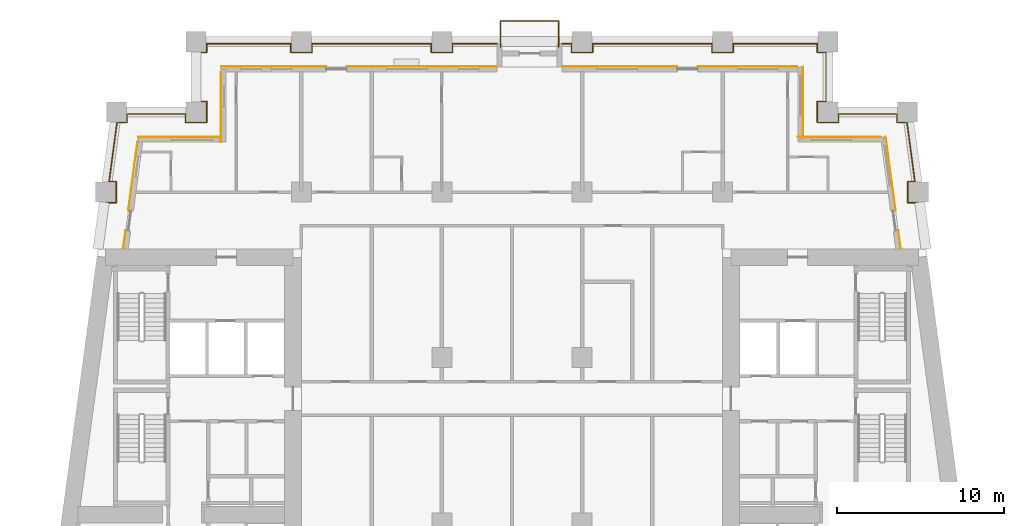
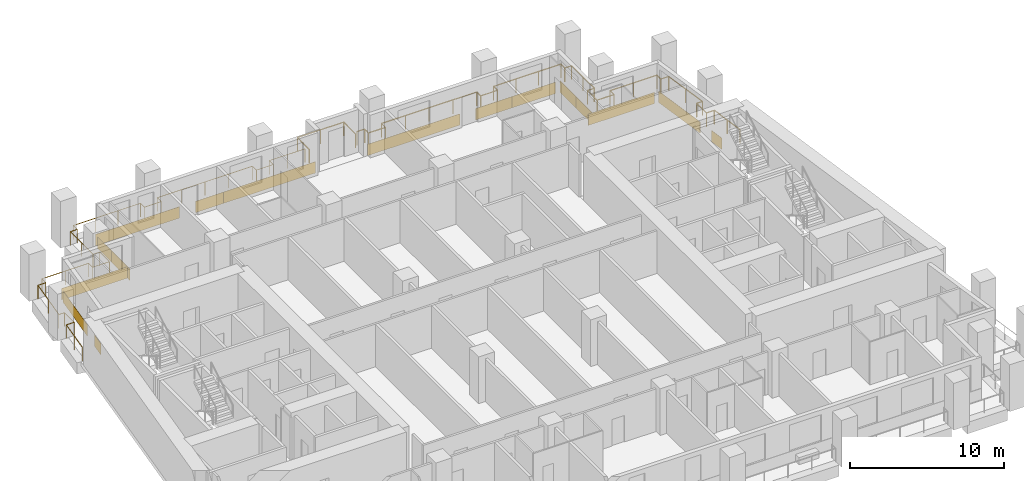
# One storey, part 12 of 13: 16 coverings, 3 railings.
"""IFC4 building model written with IfcOpenShell, lengths in metres."""

from ifc_helpers import new_model, si_unit, direction, frame, origin, origin_2d, place, context, subcontext, project, spatial, rectangle, circle, extrude, material, layer, layer_set, type_object, element, save


model = new_model("IFC4")

# Units and contexts
model_context = context("Model", 3, precision=1e-05, world=origin(), true_north=direction((0.0, 1.0)))
body_context = subcontext(model_context, "Body", "Model", "MODEL_VIEW")
ifc_project = project(units=[si_unit("LENGTHUNIT", "METRE"), si_unit("AREAUNIT", "SQUARE_METRE"), si_unit("VOLUMEUNIT", "CUBIC_METRE"), si_unit("PLANEANGLEUNIT", "RADIAN"), si_unit("MASSUNIT", "GRAM", prefix="KILO")], contexts=[model_context])

# Site, building, storey
site_placement = place(None, origin())
site = spatial("IfcSite", under=ifc_project, at=site_placement, CompositionType="ELEMENT")
building_placement = place(site_placement, origin())
building = spatial("IfcBuilding", under=site, at=building_placement, Name="Candeia Pilgrim Tower and Theatre", CompositionType="ELEMENT")
storey_placement = place(building_placement, frame((0.0, 0.0, 102.10009765625)))
storey = spatial("IfcBuildingStorey", under=building, at=storey_placement, Name="L23", CompositionType="ELEMENT", Elevation=102.10009765625)

# Railings
ifc_material_1 = material(Name="Stainless steel balustrade", Category="steel")
railing_type = type_object("IfcRailingType", Name="G1 loggia guard 1100", PredefinedType="GUARDRAIL", material=ifc_material_1)
railing_1_placement = place(storey_placement, frame((88.758544921875, 132.449951171875, 0.0)))
element("IfcRailing", 1, at=railing_1_placement, inside=storey, type_object=railing_type, Name="Guard L23.2", PredefinedType="GUARDRAIL", context=body_context, shape_type="SweptSolid", body=[
    extrude(circle(Radius=0.02392578125, at=origin_2d()), frame((0.0, 0.0, 1.076171875), z_axis=(0.133433855259, 0.991057720958, 0.0), x_axis=(-0.991057720958, 0.133433855259, 0.0)), (0.0, 0.0, 1.0), 2.74462890625),
    extrude(circle(Radius=0.02392578125, at=origin_2d()), frame((0.3662109375, 2.719970703125, 1.076171875), z_axis=(1.0, 0.0, 0.0), x_axis=(0.0, 1.0, 0.0)), (0.0, 0.0, 1.0), 0.59375),
    extrude(circle(Radius=0.02392578125, at=origin_2d()), frame((0.9599609375, 2.719970703125, 1.076171875), z_axis=(0.0, 1.0, 0.0), x_axis=(-1.0, 0.0, 0.0)), (0.0, 0.0, 1.0), 1.260009765625),
    extrude(circle(Radius=0.02392578125, at=origin_2d()), frame((0.9599609375, 3.97998046875, 1.076171875), z_axis=(-1.0, 0.0, 0.0), x_axis=(0.0, -1.0, 0.0)), (0.0, 0.0, 1.0), 0.424072265625),
    extrude(circle(Radius=0.02392578125, at=origin_2d()), frame((0.535888671875, 3.97998046875, 1.076171875), z_axis=(0.133417176173, 0.991059966451, 0.0), x_axis=(-0.991059966451, 0.133417176173, 0.0)), (0.0, 0.0, 1.0), 3.572021484375),
    extrude(circle(Radius=0.02392578125, at=origin_2d()), frame((1.012451171875, 7.52001953125, 1.076171875), z_axis=(1.0, 0.0, 0.0), x_axis=(0.0, 1.0, 0.0)), (0.0, 0.0, 1.0), 0.593505859375),
    extrude(circle(Radius=0.02392578125, at=origin_2d()), frame((1.60595703125, 7.52001953125, 1.076171875), z_axis=(0.0, 1.0, 0.0), x_axis=(-1.0, 0.0, 0.0)), (0.0, 0.0, 1.0), 0.510009765625),
    extrude(circle(Radius=0.02392578125, at=origin_2d()), frame((1.60595703125, 8.030029296875, 1.076171875), z_axis=(1.0, 0.0, 0.0), x_axis=(0.0, 1.0, 0.0)), (0.0, 0.0, 1.0), 3.505615234375),
    extrude(circle(Radius=0.02392578125, at=origin_2d()), frame((5.111572265625, 8.030029296875, 1.076171875), z_axis=(0.0, -1.0, 0.0), x_axis=(1.0, 0.0, 0.0)), (0.0, 0.0, 1.0), 0.510009765625),
    extrude(circle(Radius=0.02392578125, at=origin_2d()), frame((5.111572265625, 7.52001953125, 1.076171875), z_axis=(1.0, 0.0, 0.0), x_axis=(0.0, 1.0, 0.0)), (0.0, 0.0, 1.0), 1.259765625),
    extrude(circle(Radius=0.02392578125, at=origin_2d()), frame((6.371337890625, 7.52001953125, 1.076171875), z_axis=(0.0, 1.0, 0.0), x_axis=(-1.0, 0.0, 0.0)), (0.0, 0.0, 1.0), 1.260009765625),
    extrude(circle(Radius=0.02392578125, at=origin_2d()), frame((6.371337890625, 8.780029296875, 1.076171875), z_axis=(-1.0, 0.0, 0.0), x_axis=(0.0, -1.0, 0.0)), (0.0, 0.0, 1.0), 0.509765625),
    extrude(circle(Radius=0.02392578125, at=origin_2d()), frame((5.861572265625, 8.780029296875, 1.076171875), z_axis=(0.0, 1.0, 0.0), x_axis=(-1.0, 0.0, 0.0)), (0.0, 0.0, 1.0), 2.93994140625),
    extrude(circle(Radius=0.02392578125, at=origin_2d()), frame((5.861572265625, 11.719970703125, 1.076171875), z_axis=(1.0, 0.0, 0.0), x_axis=(0.0, 1.0, 0.0)), (0.0, 0.0, 1.0), 0.509765625),
    extrude(circle(Radius=0.02392578125, at=origin_2d()), frame((6.371337890625, 11.719970703125, 1.076171875), z_axis=(0.0, 1.0, 0.0), x_axis=(-1.0, 0.0, 0.0)), (0.0, 0.0, 1.0), 0.510009765625),
    extrude(circle(Radius=0.02392578125, at=origin_2d()), frame((6.371337890625, 12.22998046875, 1.076171875), z_axis=(1.0, 0.0, 0.0), x_axis=(0.0, 1.0, 0.0)), (0.0, 0.0, 1.0), 5.0400390625),
    extrude(circle(Radius=0.02392578125, at=origin_2d()), frame((11.411376953125, 12.22998046875, 1.076171875), z_axis=(0.0, -1.0, 0.0), x_axis=(1.0, 0.0, 0.0)), (0.0, 0.0, 1.0), 0.510009765625),
    extrude(circle(Radius=0.02392578125, at=origin_2d()), frame((11.411376953125, 11.719970703125, 1.076171875), z_axis=(1.0, 0.0, 0.0), x_axis=(0.0, 1.0, 0.0)), (0.0, 0.0, 1.0), 1.260009765625),
    extrude(circle(Radius=0.02392578125, at=origin_2d()), frame((12.67138671875, 11.719970703125, 1.076171875), z_axis=(0.0, 1.0, 0.0), x_axis=(-1.0, 0.0, 0.0)), (0.0, 0.0, 1.0), 0.510009765625),
    extrude(circle(Radius=0.02392578125, at=origin_2d()), frame((12.67138671875, 12.22998046875, 1.076171875), z_axis=(1.0, 0.0, 0.0), x_axis=(0.0, 1.0, 0.0)), (0.0, 0.0, 1.0), 7.14013671875),
    extrude(circle(Radius=0.02392578125, at=origin_2d()), frame((19.8115234375, 12.22998046875, 1.076171875), z_axis=(0.0, -1.0, 0.0), x_axis=(1.0, 0.0, 0.0)), (0.0, 0.0, 1.0), 0.510009765625),
    extrude(circle(Radius=0.02392578125, at=origin_2d()), frame((19.8115234375, 11.719970703125, 1.076171875), z_axis=(1.0, 0.0, 0.0), x_axis=(0.0, 1.0, 0.0)), (0.0, 0.0, 1.0), 1.260009765625),
    extrude(circle(Radius=0.02392578125, at=origin_2d()), frame((21.071533203125, 11.719970703125, 1.076171875), z_axis=(0.0, 1.0, 0.0), x_axis=(-1.0, 0.0, 0.0)), (0.0, 0.0, 1.0), 0.510009765625),
    extrude(circle(Radius=0.02392578125, at=origin_2d()), frame((21.071533203125, 12.22998046875, 1.076171875), z_axis=(1.0, 0.0, 0.0), x_axis=(0.0, 1.0, 0.0)), (0.0, 0.0, 1.0), 2.669921875),
    extrude(circle(Radius=0.02099609375, at=origin_2d()), origin(), (0.0, 0.0, 1.0), 1.052001953125),
    extrude(circle(Radius=0.02099609375, at=origin_2d()), frame((0.18310546875, 1.35986328125, 0.0)), (0.0, 0.0, 1.0), 1.052001953125),
    extrude(circle(Radius=0.02099609375, at=origin_2d()), frame((0.3662109375, 2.719970703125, 0.0)), (0.0, 0.0, 1.0), 1.052001953125),
    extrude(circle(Radius=0.02099609375, at=origin_2d()), frame((0.9599609375, 2.719970703125, 0.0)), (0.0, 0.0, 1.0), 1.052001953125),
    extrude(circle(Radius=0.02099609375, at=origin_2d()), frame((0.9599609375, 3.97998046875, 0.0)), (0.0, 0.0, 1.0), 1.052001953125),
    extrude(circle(Radius=0.02099609375, at=origin_2d()), frame((0.535888671875, 3.97998046875, 0.0)), (0.0, 0.0, 1.0), 1.052001953125),
    extrude(circle(Radius=0.02099609375, at=origin_2d()), frame((0.774169921875, 5.75, 0.0)), (0.0, 0.0, 1.0), 1.052001953125),
    extrude(circle(Radius=0.02099609375, at=origin_2d()), frame((1.012451171875, 7.52001953125, 0.0)), (0.0, 0.0, 1.0), 1.052001953125),
    extrude(circle(Radius=0.02099609375, at=origin_2d()), frame((1.60595703125, 7.52001953125, 0.0)), (0.0, 0.0, 1.0), 1.052001953125),
    extrude(circle(Radius=0.02099609375, at=origin_2d()), frame((1.60595703125, 8.030029296875, 0.0)), (0.0, 0.0, 1.0), 1.052001953125),
    extrude(circle(Radius=0.02099609375, at=origin_2d()), frame((3.35888671875, 8.030029296875, 0.0)), (0.0, 0.0, 1.0), 1.052001953125),
    extrude(circle(Radius=0.02099609375, at=origin_2d()), frame((5.111572265625, 8.030029296875, 0.0)), (0.0, 0.0, 1.0), 1.052001953125),
    extrude(circle(Radius=0.02099609375, at=origin_2d()), frame((5.111572265625, 7.52001953125, 0.0)), (0.0, 0.0, 1.0), 1.052001953125),
    extrude(circle(Radius=0.02099609375, at=origin_2d()), frame((6.371337890625, 7.52001953125, 0.0)), (0.0, 0.0, 1.0), 1.052001953125),
    extrude(circle(Radius=0.02099609375, at=origin_2d()), frame((6.371337890625, 8.780029296875, 0.0)), (0.0, 0.0, 1.0), 1.052001953125),
    extrude(circle(Radius=0.02099609375, at=origin_2d()), frame((5.861572265625, 8.780029296875, 0.0)), (0.0, 0.0, 1.0), 1.052001953125),
    extrude(circle(Radius=0.02099609375, at=origin_2d()), frame((5.861572265625, 10.25, 0.0)), (0.0, 0.0, 1.0), 1.052001953125),
    extrude(circle(Radius=0.02099609375, at=origin_2d()), frame((5.861572265625, 11.719970703125, 0.0)), (0.0, 0.0, 1.0), 1.052001953125),
    extrude(circle(Radius=0.02099609375, at=origin_2d()), frame((6.371337890625, 11.719970703125, 0.0)), (0.0, 0.0, 1.0), 1.052001953125),
    extrude(circle(Radius=0.02099609375, at=origin_2d()), frame((6.371337890625, 12.22998046875, 0.0)), (0.0, 0.0, 1.0), 1.052001953125),
    extrude(circle(Radius=0.02099609375, at=origin_2d()), frame((8.05126953125, 12.22998046875, 0.0)), (0.0, 0.0, 1.0), 1.052001953125),
    extrude(circle(Radius=0.02099609375, at=origin_2d()), frame((9.7314453125, 12.22998046875, 0.0)), (0.0, 0.0, 1.0), 1.052001953125),
    extrude(circle(Radius=0.02099609375, at=origin_2d()), frame((11.411376953125, 12.22998046875, 0.0)), (0.0, 0.0, 1.0), 1.052001953125),
    extrude(circle(Radius=0.02099609375, at=origin_2d()), frame((11.411376953125, 11.719970703125, 0.0)), (0.0, 0.0, 1.0), 1.052001953125),
    extrude(circle(Radius=0.02099609375, at=origin_2d()), frame((12.67138671875, 11.719970703125, 0.0)), (0.0, 0.0, 1.0), 1.052001953125),
    extrude(circle(Radius=0.02099609375, at=origin_2d()), frame((12.67138671875, 12.22998046875, 0.0)), (0.0, 0.0, 1.0), 1.052001953125),
    extrude(circle(Radius=0.02099609375, at=origin_2d()), frame((14.45654296875, 12.22998046875, 0.0)), (0.0, 0.0, 1.0), 1.052001953125),
    extrude(circle(Radius=0.02099609375, at=origin_2d()), frame((16.241455078125, 12.22998046875, 0.0)), (0.0, 0.0, 1.0), 1.052001953125),
    extrude(circle(Radius=0.02099609375, at=origin_2d()), frame((18.0263671875, 12.22998046875, 0.0)), (0.0, 0.0, 1.0), 1.052001953125),
    extrude(circle(Radius=0.02099609375, at=origin_2d()), frame((19.8115234375, 12.22998046875, 0.0)), (0.0, 0.0, 1.0), 1.052001953125),
    extrude(circle(Radius=0.02099609375, at=origin_2d()), frame((19.8115234375, 11.719970703125, 0.0)), (0.0, 0.0, 1.0), 1.052001953125),
    extrude(circle(Radius=0.02099609375, at=origin_2d()), frame((21.071533203125, 11.719970703125, 0.0)), (0.0, 0.0, 1.0), 1.052001953125),
    extrude(circle(Radius=0.02099609375, at=origin_2d()), frame((21.071533203125, 12.22998046875, 0.0)), (0.0, 0.0, 1.0), 1.052001953125),
    extrude(circle(Radius=0.02099609375, at=origin_2d()), frame((22.406494140625, 12.22998046875, 0.0)), (0.0, 0.0, 1.0), 1.052001953125),
    extrude(circle(Radius=0.02099609375, at=origin_2d()), frame((23.741455078125, 12.22998046875, 0.0)), (0.0, 0.0, 1.0), 1.052001953125),
])
railing_2_placement = place(storey_placement, frame((116.39990234375, 144.679931640625, 0.0)))
element("IfcRailing", 2, at=railing_2_placement, inside=storey, type_object=railing_type, Name="Guard L23.3", PredefinedType="GUARDRAIL", context=body_context, shape_type="SweptSolid", body=[
    extrude(circle(Radius=0.02392578125, at=origin_2d()), frame((0.0, 0.0, 1.076171875), z_axis=(1.0, 0.0, 0.0), x_axis=(0.0, 1.0, 0.0)), (0.0, 0.0, 1.0), 0.570068359375),
    extrude(circle(Radius=0.02392578125, at=origin_2d()), frame((0.570068359375, 0.0, 1.076171875), z_axis=(0.0, -1.0, 0.0), x_axis=(1.0, 0.0, 0.0)), (0.0, 0.0, 1.0), 0.510009765625),
    extrude(circle(Radius=0.02392578125, at=origin_2d()), frame((0.570068359375, -0.510009765625, 1.076171875), z_axis=(1.0, 0.0, 0.0), x_axis=(0.0, 1.0, 0.0)), (0.0, 0.0, 1.0), 1.260009765625),
    extrude(circle(Radius=0.02392578125, at=origin_2d()), frame((1.830078125, -0.510009765625, 1.076171875), z_axis=(0.0, 1.0, 0.0), x_axis=(-1.0, 0.0, 0.0)), (0.0, 0.0, 1.0), 0.510009765625),
    extrude(circle(Radius=0.02392578125, at=origin_2d()), frame((1.830078125, 0.0, 1.076171875), z_axis=(1.0, 0.0, 0.0), x_axis=(0.0, 1.0, 0.0)), (0.0, 0.0, 1.0), 7.14013671875),
    extrude(circle(Radius=0.02392578125, at=origin_2d()), frame((8.97021484375, 0.0, 1.076171875), z_axis=(0.0, -1.0, 0.0), x_axis=(1.0, 0.0, 0.0)), (0.0, 0.0, 1.0), 0.510009765625),
    extrude(circle(Radius=0.02392578125, at=origin_2d()), frame((8.97021484375, -0.510009765625, 1.076171875), z_axis=(1.0, 0.0, 0.0), x_axis=(0.0, 1.0, 0.0)), (0.0, 0.0, 1.0), 1.259765625),
    extrude(circle(Radius=0.02392578125, at=origin_2d()), frame((10.22998046875, -0.510009765625, 1.076171875), z_axis=(0.0, 1.0, 0.0), x_axis=(-1.0, 0.0, 0.0)), (0.0, 0.0, 1.0), 0.510009765625),
    extrude(circle(Radius=0.02392578125, at=origin_2d()), frame((10.22998046875, 0.0, 1.076171875), z_axis=(1.0, 0.0, 0.0), x_axis=(0.0, 1.0, 0.0)), (0.0, 0.0, 1.0), 5.0400390625),
    extrude(circle(Radius=0.02392578125, at=origin_2d()), frame((15.27001953125, 0.0, 1.076171875), z_axis=(0.0, -1.0, 0.0), x_axis=(1.0, 0.0, 0.0)), (0.0, 0.0, 1.0), 0.510009765625),
    extrude(circle(Radius=0.02392578125, at=origin_2d()), frame((15.27001953125, -0.510009765625, 1.076171875), z_axis=(1.0, 0.0, 0.0), x_axis=(0.0, 1.0, 0.0)), (0.0, 0.0, 1.0), 0.510009765625),
    extrude(circle(Radius=0.02392578125, at=origin_2d()), frame((15.780029296875, -0.510009765625, 1.076171875), z_axis=(0.0, -1.0, 0.0), x_axis=(1.0, 0.0, 0.0)), (0.0, 0.0, 1.0), 2.93994140625),
    extrude(circle(Radius=0.02392578125, at=origin_2d()), frame((15.780029296875, -3.449951171875, 1.076171875), z_axis=(-1.0, 0.0, 0.0), x_axis=(0.0, -1.0, 0.0)), (0.0, 0.0, 1.0), 0.510009765625),
    extrude(circle(Radius=0.02392578125, at=origin_2d()), frame((15.27001953125, -3.449951171875, 1.076171875), z_axis=(0.0, -1.0, 0.0), x_axis=(1.0, 0.0, 0.0)), (0.0, 0.0, 1.0), 1.260009765625),
    extrude(circle(Radius=0.02392578125, at=origin_2d()), frame((15.27001953125, -4.7099609375, 1.076171875), z_axis=(1.0, 0.0, 0.0), x_axis=(0.0, 1.0, 0.0)), (0.0, 0.0, 1.0), 1.260009765625),
    extrude(circle(Radius=0.02392578125, at=origin_2d()), frame((16.530029296875, -4.7099609375, 1.076171875), z_axis=(0.0, 1.0, 0.0), x_axis=(-1.0, 0.0, 0.0)), (0.0, 0.0, 1.0), 0.510009765625),
    extrude(circle(Radius=0.02392578125, at=origin_2d()), frame((16.530029296875, -4.199951171875, 1.076171875), z_axis=(1.0, 0.0, 0.0), x_axis=(0.0, 1.0, 0.0)), (0.0, 0.0, 1.0), 3.50537109375),
    extrude(circle(Radius=0.02392578125, at=origin_2d()), frame((20.035400390625, -4.199951171875, 1.076171875), z_axis=(0.0, -1.0, 0.0), x_axis=(1.0, 0.0, 0.0)), (0.0, 0.0, 1.0), 0.510009765625),
    extrude(circle(Radius=0.02392578125, at=origin_2d()), frame((20.035400390625, -4.7099609375, 1.076171875), z_axis=(1.0, 0.0, 0.0), x_axis=(0.0, 1.0, 0.0)), (0.0, 0.0, 1.0), 0.59375),
    extrude(circle(Radius=0.02392578125, at=origin_2d()), frame((20.629150390625, -4.7099609375, 1.076171875), z_axis=(0.133417176173, -0.991059966451, 0.0), x_axis=(0.991059966451, 0.133417176173, 0.0)), (0.0, 0.0, 1.0), 3.572021484375),
    extrude(circle(Radius=0.02392578125, at=origin_2d()), frame((21.105712890625, -8.25, 1.076171875), z_axis=(-1.0, 0.0, 0.0), x_axis=(0.0, -1.0, 0.0)), (0.0, 0.0, 1.0), 0.424072265625),
    extrude(circle(Radius=0.02392578125, at=origin_2d()), frame((20.681640625, -8.25, 1.076171875), z_axis=(0.0, -1.0, 0.0), x_axis=(1.0, 0.0, 0.0)), (0.0, 0.0, 1.0), 1.260009765625),
    extrude(circle(Radius=0.02392578125, at=origin_2d()), frame((20.681640625, -9.510009765625, 1.076171875), z_axis=(1.0, 0.0, 0.0), x_axis=(0.0, 1.0, 0.0)), (0.0, 0.0, 1.0), 0.59375),
    extrude(circle(Radius=0.02392578125, at=origin_2d()), frame((21.275390625, -9.510009765625, 1.076171875), z_axis=(0.133433855259, -0.991057720958, 0.0), x_axis=(0.991057720958, 0.133433855259, 0.0)), (0.0, 0.0, 1.0), 2.74462890625),
    extrude(circle(Radius=0.02099609375, at=origin_2d()), origin(), (0.0, 0.0, 1.0), 1.052001953125),
    extrude(circle(Radius=0.02099609375, at=origin_2d()), frame((0.570068359375, 0.0, 0.0)), (0.0, 0.0, 1.0), 1.052001953125),
    extrude(circle(Radius=0.02099609375, at=origin_2d()), frame((0.570068359375, -0.510009765625, 0.0)), (0.0, 0.0, 1.0), 1.052001953125),
    extrude(circle(Radius=0.02099609375, at=origin_2d()), frame((1.830078125, -0.510009765625, 0.0)), (0.0, 0.0, 1.0), 1.052001953125),
    extrude(circle(Radius=0.02099609375, at=origin_2d()), frame((1.830078125, 0.0, 0.0)), (0.0, 0.0, 1.0), 1.052001953125),
    extrude(circle(Radius=0.02099609375, at=origin_2d()), frame((3.615234375, 0.0, 0.0)), (0.0, 0.0, 1.0), 1.052001953125),
    extrude(circle(Radius=0.02099609375, at=origin_2d()), frame((5.400146484375, 0.0, 0.0)), (0.0, 0.0, 1.0), 1.052001953125),
    extrude(circle(Radius=0.02099609375, at=origin_2d()), frame((7.18505859375, 0.0, 0.0)), (0.0, 0.0, 1.0), 1.052001953125),
    extrude(circle(Radius=0.02099609375, at=origin_2d()), frame((8.97021484375, 0.0, 0.0)), (0.0, 0.0, 1.0), 1.052001953125),
    extrude(circle(Radius=0.02099609375, at=origin_2d()), frame((8.97021484375, -0.510009765625, 0.0)), (0.0, 0.0, 1.0), 1.052001953125),
    extrude(circle(Radius=0.02099609375, at=origin_2d()), frame((10.22998046875, -0.510009765625, 0.0)), (0.0, 0.0, 1.0), 1.052001953125),
    extrude(circle(Radius=0.02099609375, at=origin_2d()), frame((10.22998046875, 0.0, 0.0)), (0.0, 0.0, 1.0), 1.052001953125),
    extrude(circle(Radius=0.02099609375, at=origin_2d()), frame((11.909912109375, 0.0, 0.0)), (0.0, 0.0, 1.0), 1.052001953125),
    extrude(circle(Radius=0.02099609375, at=origin_2d()), frame((13.590087890625, 0.0, 0.0)), (0.0, 0.0, 1.0), 1.052001953125),
    extrude(circle(Radius=0.02099609375, at=origin_2d()), frame((15.27001953125, 0.0, 0.0)), (0.0, 0.0, 1.0), 1.052001953125),
    extrude(circle(Radius=0.02099609375, at=origin_2d()), frame((15.27001953125, -0.510009765625, 0.0)), (0.0, 0.0, 1.0), 1.052001953125),
    extrude(circle(Radius=0.02099609375, at=origin_2d()), frame((15.780029296875, -0.510009765625, 0.0)), (0.0, 0.0, 1.0), 1.052001953125),
    extrude(circle(Radius=0.02099609375, at=origin_2d()), frame((15.780029296875, -1.97998046875, 0.0)), (0.0, 0.0, 1.0), 1.052001953125),
    extrude(circle(Radius=0.02099609375, at=origin_2d()), frame((15.780029296875, -3.449951171875, 0.0)), (0.0, 0.0, 1.0), 1.052001953125),
    extrude(circle(Radius=0.02099609375, at=origin_2d()), frame((15.27001953125, -3.449951171875, 0.0)), (0.0, 0.0, 1.0), 1.052001953125),
    extrude(circle(Radius=0.02099609375, at=origin_2d()), frame((15.27001953125, -4.7099609375, 0.0)), (0.0, 0.0, 1.0), 1.052001953125),
    extrude(circle(Radius=0.02099609375, at=origin_2d()), frame((16.530029296875, -4.7099609375, 0.0)), (0.0, 0.0, 1.0), 1.052001953125),
    extrude(circle(Radius=0.02099609375, at=origin_2d()), frame((16.530029296875, -4.199951171875, 0.0)), (0.0, 0.0, 1.0), 1.052001953125),
    extrude(circle(Radius=0.02099609375, at=origin_2d()), frame((18.28271484375, -4.199951171875, 0.0)), (0.0, 0.0, 1.0), 1.052001953125),
    extrude(circle(Radius=0.02099609375, at=origin_2d()), frame((20.035400390625, -4.199951171875, 0.0)), (0.0, 0.0, 1.0), 1.052001953125),
    extrude(circle(Radius=0.02099609375, at=origin_2d()), frame((20.035400390625, -4.7099609375, 0.0)), (0.0, 0.0, 1.0), 1.052001953125),
    extrude(circle(Radius=0.02099609375, at=origin_2d()), frame((20.629150390625, -4.7099609375, 0.0)), (0.0, 0.0, 1.0), 1.052001953125),
    extrude(circle(Radius=0.02099609375, at=origin_2d()), frame((20.867431640625, -6.47998046875, 0.0)), (0.0, 0.0, 1.0), 1.052001953125),
    extrude(circle(Radius=0.02099609375, at=origin_2d()), frame((21.105712890625, -8.25, 0.0)), (0.0, 0.0, 1.0), 1.052001953125),
    extrude(circle(Radius=0.02099609375, at=origin_2d()), frame((20.681640625, -8.25, 0.0)), (0.0, 0.0, 1.0), 1.052001953125),
    extrude(circle(Radius=0.02099609375, at=origin_2d()), frame((20.681640625, -9.510009765625, 0.0)), (0.0, 0.0, 1.0), 1.052001953125),
    extrude(circle(Radius=0.02099609375, at=origin_2d()), frame((21.275390625, -9.510009765625, 0.0)), (0.0, 0.0, 1.0), 1.052001953125),
    extrude(circle(Radius=0.02099609375, at=origin_2d()), frame((21.45849609375, -10.8701171875, 0.0)), (0.0, 0.0, 1.0), 1.052001953125),
    extrude(circle(Radius=0.02099609375, at=origin_2d()), frame((21.6416015625, -12.22998046875, 0.0)), (0.0, 0.0, 1.0), 1.052001953125),
])
railing_3_placement = place(storey_placement, frame((112.7099609375, 144.5, 0.0)))
element("IfcRailing", 3, at=railing_3_placement, inside=storey, type_object=railing_type, Name="Balcony guard L23", PredefinedType="GUARDRAIL", context=body_context, shape_type="SweptSolid", body=[
    extrude(circle(Radius=0.02392578125, at=origin_2d()), frame((0.0, 0.0, 1.076171875), z_axis=(0.0, 1.0, 0.0), x_axis=(-1.0, 0.0, 0.0)), (0.0, 0.0, 1.0), 1.5400390625),
    extrude(circle(Radius=0.02392578125, at=origin_2d()), frame((0.0, 1.5400390625, 1.076171875), z_axis=(1.0, 0.0, 0.0), x_axis=(0.0, 1.0, 0.0)), (0.0, 0.0, 1.0), 3.47998046875),
    extrude(circle(Radius=0.02392578125, at=origin_2d()), frame((3.47998046875, 1.5400390625, 1.076171875), z_axis=(0.0, -1.0, 0.0), x_axis=(1.0, 0.0, 0.0)), (0.0, 0.0, 1.0), 1.5400390625),
    extrude(circle(Radius=0.02099609375, at=origin_2d()), origin(), (0.0, 0.0, 1.0), 1.052001953125),
    extrude(circle(Radius=0.02099609375, at=origin_2d()), frame((0.0, 1.5400390625, 0.0)), (0.0, 0.0, 1.0), 1.052001953125),
    extrude(circle(Radius=0.02099609375, at=origin_2d()), frame((1.739990234375, 1.5400390625, 0.0)), (0.0, 0.0, 1.0), 1.052001953125),
    extrude(circle(Radius=0.02099609375, at=origin_2d()), frame((3.47998046875, 1.5400390625, 0.0)), (0.0, 0.0, 1.0), 1.052001953125),
    extrude(circle(Radius=0.02099609375, at=origin_2d()), frame((3.47998046875, 0.0, 0.0)), (0.0, 0.0, 1.0), 1.052001953125),
])

# Coverings
ifc_material_2 = material(Name="Glazed ceramic tile red")
ifc_layer_1 = layer(ifc_material_2, 0.02001953125)
ifc_layer_set_1 = layer_set([ifc_layer_1], Name="Glazed ceramic tile red")
covering_type_1 = type_object("IfcCoveringType", Name="Glazed ceramic tile red", PredefinedType="CLADDING", material=ifc_layer_set_1)
covering_1_placement = place(storey_placement, frame((132.976318359375, 139.110107421875, 0.0), z_axis=(0.0, 0.0, 1.0), x_axis=(-1.0, 0.0, 0.0)))
element("IfcCovering", 4, at=covering_1_placement, inside=storey, type_object=covering_type_1, Name="Tile cladding red L23", PredefinedType="CLADDING", context=body_context, shape_type="SweptSolid", body=[
    extrude(rectangle(XDim=4.95263671875, YDim=0.02001953125, at=origin_2d()), origin(), (0.0, 0.0, 1.0), 0.89990234375),
])
covering_2_placement = place(storey_placement, frame((130.81005859375, 142.25, 0.0), z_axis=(0.0, 0.0, 1.0), x_axis=(0.0, 1.0, 0.0)))
element("IfcCovering", 5, at=covering_2_placement, inside=storey, type_object=covering_type_1, Name="Tile cladding red L23", PredefinedType="CLADDING", context=body_context, shape_type="SweptSolid", body=[
    extrude(rectangle(XDim=2.10009765625, YDim=0.02001953125, at=origin_2d()), origin(), (0.0, 0.0, 1.0), 0.89990234375),
])
covering_3_placement = place(storey_placement, frame((128.840087890625, 143.31005859375, 0.0), z_axis=(0.0, 0.0, 1.0), x_axis=(-1.0, 0.0, 0.0)))
element("IfcCovering", 6, at=covering_3_placement, inside=storey, type_object=covering_type_1, Name="Tile cladding red L23", PredefinedType="CLADDING", context=body_context, shape_type="SweptSolid", body=[
    extrude(rectangle(XDim=3.280029296875, YDim=0.02001953125, at=origin_2d()), origin(), (0.0, 0.0, 1.0), 0.89990234375),
])
covering_4_placement = place(storey_placement, frame((104.550048828125, 143.31005859375, 0.0), z_axis=(0.0, 0.0, 1.0), x_axis=(-1.0, 0.0, 0.0)))
element("IfcCovering", 7, at=covering_4_placement, inside=storey, type_object=covering_type_1, Name="Tile cladding red L23", PredefinedType="CLADDING", context=body_context, shape_type="SweptSolid", body=[
    extrude(rectangle(XDim=2.10009765625, YDim=0.02001953125, at=origin_2d()), origin(), (0.0, 0.0, 1.0), 0.89990234375),
])
covering_5_placement = place(storey_placement, frame((99.14990234375, 143.31005859375, 0.0), z_axis=(0.0, 0.0, 1.0), x_axis=(-1.0, 0.0, 0.0)))
element("IfcCovering", 8, at=covering_5_placement, inside=storey, type_object=covering_type_1, Name="Tile cladding red L23", PredefinedType="CLADDING", context=body_context, shape_type="SweptSolid", body=[
    extrude(rectangle(XDim=6.300048828125, YDim=0.02001953125, at=origin_2d()), origin(), (0.0, 0.0, 1.0), 0.89990234375),
])
covering_6_placement = place(storey_placement, frame((95.989990234375, 142.090087890625, 0.0), z_axis=(0.0, 0.0, 1.0), x_axis=(0.0, -1.0, 0.0)))
element("IfcCovering", 9, at=covering_6_placement, inside=storey, type_object=covering_type_1, Name="Tile cladding red L23", PredefinedType="CLADDING", context=body_context, shape_type="SweptSolid", body=[
    extrude(rectangle(XDim=1.780029296875, YDim=0.02001953125, at=origin_2d()), origin(), (0.0, 0.0, 1.0), 0.89990234375),
])
covering_7_placement = place(storey_placement, frame((93.51318359375, 139.110107421875, 0.0), z_axis=(0.0, 0.0, 1.0), x_axis=(-1.0, 0.0, 0.0)))
element("IfcCovering", 10, at=covering_7_placement, inside=storey, type_object=covering_type_1, Name="Tile cladding red L23", PredefinedType="CLADDING", context=body_context, shape_type="SweptSolid", body=[
    extrude(rectangle(XDim=4.933837890625, YDim=0.02001953125, at=origin_2d()), origin(), (0.0, 0.0, 1.0), 0.89990234375),
])
ifc_material_3 = material(Name="Glazed ceramic tile rust")
ifc_layer_2 = layer(ifc_material_3, 0.02001953125)
ifc_layer_set_2 = layer_set([ifc_layer_2], Name="Glazed ceramic tile rust")
covering_type_2 = type_object("IfcCoveringType", Name="Glazed ceramic tile rust", PredefinedType="CLADDING", material=ifc_layer_set_2)
covering_8_placement = place(storey_placement, frame((136.588623046875, 132.97412109375, 0.0), z_axis=(0.0, 0.0, 1.0), x_axis=(-0.133412012145, 0.991060661622, 0.0)))
element("IfcCovering", 11, at=covering_8_placement, inside=storey, type_object=covering_type_2, Name="Tile cladding rust L23", PredefinedType="CLADDING", context=body_context, shape_type="SweptSolid", body=[
    extrude(rectangle(XDim=1.115234375, YDim=0.02001953125, at=origin_2d()), origin(), (0.0, 0.0, 1.0), 0.89990234375),
])
covering_9_placement = place(storey_placement, frame((136.058837890625, 136.90869140625, 0.0), z_axis=(0.0, 0.0, 1.0), x_axis=(-0.133412012145, 0.991060661622, 0.0)))
element("IfcCovering", 12, at=covering_9_placement, inside=storey, type_object=covering_type_2, Name="Tile cladding rust L23", PredefinedType="CLADDING", context=body_context, shape_type="SweptSolid", body=[
    extrude(rectangle(XDim=4.4248046875, YDim=0.02001953125, at=origin_2d()), origin(), (0.0, 0.0, 1.0), 0.89990234375),
])
covering_10_placement = place(storey_placement, frame((130.81005859375, 140.159912109375, 0.0), z_axis=(0.0, 0.0, 1.0), x_axis=(0.0, 1.0, 0.0)))
element("IfcCovering", 13, at=covering_10_placement, inside=storey, type_object=covering_type_2, Name="Tile cladding rust L23", PredefinedType="CLADDING", context=body_context, shape_type="SweptSolid", body=[
    extrude(rectangle(XDim=2.080078125, YDim=0.02001953125, at=origin_2d()), origin(), (0.0, 0.0, 1.0), 0.89990234375),
])
covering_11_placement = place(storey_placement, frame((125.85009765625, 143.31005859375, 0.0), z_axis=(0.0, 0.0, 1.0), x_axis=(-1.0, 0.0, 0.0)))
element("IfcCovering", 14, at=covering_11_placement, inside=storey, type_object=covering_type_2, Name="Tile cladding rust L23", PredefinedType="CLADDING", context=body_context, shape_type="SweptSolid", body=[
    extrude(rectangle(XDim=2.699951171875, YDim=0.02001953125, at=origin_2d()), origin(), (0.0, 0.0, 1.0), 0.89990234375),
])
for number, where, z_axis, x_axis, name in (
    (15, (119.85009765625, 143.31005859375, 0.0), (0.0, 0.0, 1.0), (-1.0, 0.0, 0.0), "Tile cladding rust L23"),
    (16, (109.050048828125, 143.31005859375, 0.0), (0.0, 0.0, 1.0), (-1.0, 0.0, 0.0), "Tile cladding rust L23"),
):
    element("IfcCovering", number, at=place(storey_placement, frame(where, z_axis=z_axis, x_axis=x_axis)), inside=storey, type_object=covering_type_2, Name=name, PredefinedType="CLADDING", context=body_context, shape_type="SweptSolid", body=[
        extrude(rectangle(XDim=6.89990234375, YDim=0.02001953125, at=origin_2d()), origin(), (0.0, 0.0, 1.0), 0.89990234375),
    ])
covering_12_placement = place(storey_placement, frame((95.989990234375, 140.0, 0.0), z_axis=(0.0, 0.0, 1.0), x_axis=(0.0, -1.0, 0.0)))
element("IfcCovering", 17, at=covering_12_placement, inside=storey, type_object=covering_type_2, Name="Tile cladding rust L23", PredefinedType="CLADDING", context=body_context, shape_type="SweptSolid", body=[
    extrude(rectangle(XDim=2.39990234375, YDim=0.02001953125, at=origin_2d()), origin(), (0.0, 0.0, 1.0), 0.89990234375),
])
covering_13_placement = place(storey_placement, frame((90.720947265625, 136.759521484375, 0.0), z_axis=(0.0, 0.0, 1.0), x_axis=(-0.133412012145, -0.991060661622, 0.0)))
element("IfcCovering", 18, at=covering_13_placement, inside=storey, type_object=covering_type_2, Name="Tile cladding rust L23", PredefinedType="CLADDING", context=body_context, shape_type="SweptSolid", body=[
    extrude(rectangle(XDim=4.123779296875, YDim=0.02001953125, at=origin_2d()), origin(), (0.0, 0.0, 1.0), 0.89990234375),
])
covering_14_placement = place(storey_placement, frame((90.21142578125, 132.97412109375, 0.0), z_axis=(0.0, 0.0, 1.0), x_axis=(-0.133412012145, -0.991060661622, 0.0)))
element("IfcCovering", 19, at=covering_14_placement, inside=storey, type_object=covering_type_2, Name="Tile cladding rust L23", PredefinedType="CLADDING", context=body_context, shape_type="SweptSolid", body=[
    extrude(rectangle(XDim=1.115234375, YDim=0.02001953125, at=origin_2d()), origin(), (0.0, 0.0, 1.0), 0.89990234375),
])

save(model, "model.ifc")
